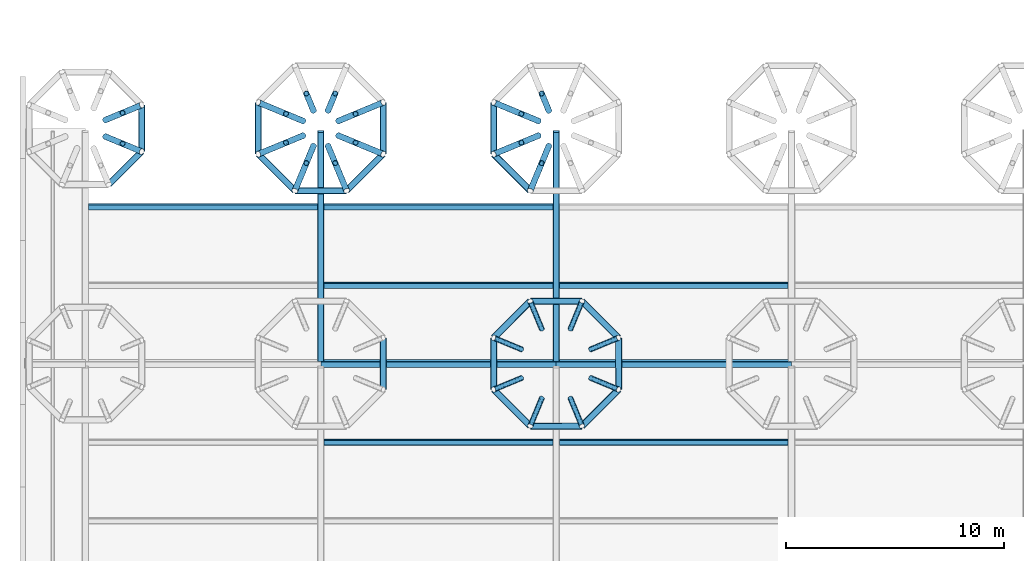
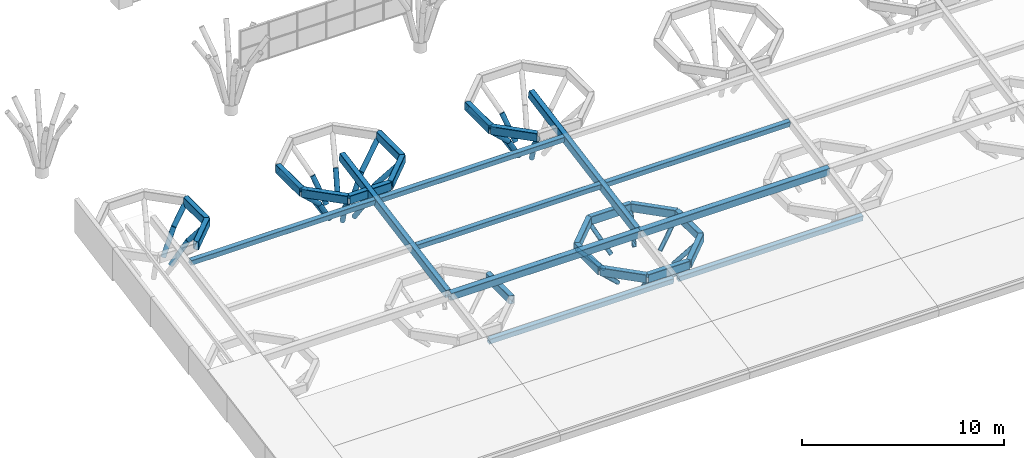
# One storey, part 3 of 42: 33 members, 28 beams.
"""IFC4 building model written with IfcOpenShell, lengths in metres."""

from ifc_helpers import new_model, si_unit, direction, frame, origin, origin_2d, place, context, subcontext, project, spatial, hollow_rectangle, hollow_circle, extrude, clip, halfspace, material, material_profile, profile_set, type_object, element, save


model = new_model("IFC4")

# Units and contexts
model_context = context("Model", 3, precision=1e-05, world=origin(), true_north=direction((0.0, 1.0)))
body_context = subcontext(model_context, "Body", "Model", "MODEL_VIEW")
ifc_project = project(units=[si_unit("LENGTHUNIT", "METRE"), si_unit("AREAUNIT", "SQUARE_METRE"), si_unit("VOLUMEUNIT", "CUBIC_METRE"), si_unit("PLANEANGLEUNIT", "RADIAN"), si_unit("MASSUNIT", "GRAM", prefix="KILO")], contexts=[model_context])

# Site, building, storey
site_placement = place(None, origin())
site = spatial("IfcSite", under=ifc_project, at=site_placement, CompositionType="ELEMENT")
building_placement = place(site_placement, origin())
building = spatial("IfcBuilding", under=site, at=building_placement, Name="Magnolia Steps Interchange", CompositionType="ELEMENT")
storey_placement = place(building_placement, frame((0.0, 0.0, 12.60009765625)))
storey = spatial("IfcBuildingStorey", under=building, at=storey_placement, Name="L03", CompositionType="ELEMENT", Elevation=12.60009765625)

# Beams
ifc_material_1 = material(Name="Steel Q355B", Category="steel")
ifc_material_profile_1 = material_profile(ifc_material_1, hollow_rectangle(XDim=0.300048828125, YDim=0.5, WallThickness=0.01611328125, InnerFilletRadius=0.01611328125, OuterFilletRadius=0.031982421875, at=origin_2d()), Name="RHS500x300x16")
ifc_profile_set_1 = profile_set([ifc_material_profile_1], Name="Steel Q355B")
beam_type_1 = type_object("IfcBeamType", Name="Ring beam RHS500x300x16", PredefinedType="BEAM", material=ifc_profile_set_1)
beam_1_placement = place(storey_placement, frame((54.268798828125, 72.219970703125, 3.4755859375), z_axis=(0.707106781187, 0.707106781187, 0.0), x_axis=(-0.707106781187, 0.707106781187, 0.0)))
element("IfcBeam", 1, at=beam_1_placement, inside=storey, type_object=beam_type_1, Name="Ring beam TH01D", PredefinedType="BEAM", context=body_context, shape_type="Clipping", body=[
    clip(clip(extrude(hollow_rectangle(XDim=0.300048828125, YDim=0.5, WallThickness=0.01611328125, InnerFilletRadius=0.01611328125, OuterFilletRadius=0.031982421875, at=origin_2d()), origin(), (0.0, 0.0, 1.0), 2.13720703125), halfspace(frame((0.0, 0.0, 0.0), z_axis=(0.382683433, 0.0, -0.923879532), x_axis=(0.923879532, 0.0, 0.382683433)), False)), halfspace(frame((0.0, 0.0, 2.137202625), z_axis=(0.382683433, 0.0, 0.923879532), x_axis=(0.923879532, 0.0, -0.382683433)), False)),
])
beam_2_placement = place(storey_placement, frame((55.780029296875, 73.731201171875, 3.4755859375), z_axis=(0.0, 1.0, 0.0), x_axis=(-1.0, 0.0, 0.0)))
element("IfcBeam", 2, at=beam_2_placement, inside=storey, type_object=beam_type_1, Name="Ring beam TH01D", PredefinedType="BEAM", context=body_context, shape_type="Clipping", body=[
    clip(clip(extrude(hollow_rectangle(XDim=0.300048828125, YDim=0.5, WallThickness=0.01611328125, InnerFilletRadius=0.01611328125, OuterFilletRadius=0.031982421875, at=origin_2d()), origin(), (0.0, 0.0, 1.0), 2.137451171875), halfspace(frame((0.0, 0.0, 0.0), z_axis=(0.382683432, 0.0, -0.923879533), x_axis=(0.923879533, 0.0, 0.382683432)), False)), halfspace(frame((0.0, 0.0, 2.137451172), z_axis=(0.382683432, 0.0, 0.923879533), x_axis=(0.923879533, 0.0, -0.382683432)), False)),
])
for number, where, z_axis, x_axis, name in (
    (3, (66.864013671875, 62.813720703125, 1.5), (0.0, 1.0, 0.0), (-1.0, 0.0, 0.0), "Ring beam TH02C"),
    (4, (61.135986328125, 75.986328125, 3.4755859375), (0.0, -1.0, 0.0), (1.0, 0.0, 0.0), "Ring beam TH02D"),
):
    element("IfcBeam", number, at=place(storey_placement, frame(where, z_axis=z_axis, x_axis=x_axis)), inside=storey, type_object=beam_type_1, Name=name, PredefinedType="BEAM", context=body_context, shape_type="Clipping", body=[
        clip(clip(extrude(hollow_rectangle(XDim=0.300048828125, YDim=0.5, WallThickness=0.01611328125, InnerFilletRadius=0.01611328125, OuterFilletRadius=0.031982421875, at=origin_2d()), origin(), (0.0, 0.0, 1.0), 2.37255859375), halfspace(frame((0.0, 0.0, 0.0), z_axis=(0.382683432, 0.0, -0.923879533), x_axis=(0.923879533, 0.0, 0.382683432)), False)), halfspace(frame((0.0, 0.0, 2.372558594), z_axis=(0.382683432, 0.0, 0.923879533), x_axis=(0.923879533, 0.0, -0.382683432)), False)),
    ])
beam_3_placement = place(storey_placement, frame((61.135986328125, 73.61376953125, 3.4755859375), z_axis=(0.707106781187, -0.707106781187, 0.0), x_axis=(0.707106781187, 0.707106781187, 0.0)))
element("IfcBeam", 5, at=beam_3_placement, inside=storey, type_object=beam_type_1, Name="Ring beam TH02D", PredefinedType="BEAM", context=body_context, shape_type="Clipping", body=[
    clip(clip(extrude(hollow_rectangle(XDim=0.300048828125, YDim=0.5, WallThickness=0.01611328125, InnerFilletRadius=0.01611328125, OuterFilletRadius=0.031982421875, at=origin_2d()), origin(), (0.0, 0.0, 1.0), 2.37255859375), halfspace(frame((0.0, 0.0, 0.0), z_axis=(0.382683433, 0.0, -0.923879532), x_axis=(0.923879532, 0.0, 0.382683433)), False)), halfspace(frame((0.0, 0.0, 2.372674707), z_axis=(0.382683433, 0.0, 0.923879532), x_axis=(0.923879532, 0.0, -0.382683433)), False)),
])
beam_4_placement = place(storey_placement, frame((62.813720703125, 71.93603515625, 3.4755859375), z_axis=(1.0, 0.0, 0.0), x_axis=(0.0, 1.0, 0.0)))
element("IfcBeam", 6, at=beam_4_placement, inside=storey, type_object=beam_type_1, Name="Ring beam TH02D", PredefinedType="BEAM", context=body_context, shape_type="Clipping", body=[
    clip(clip(extrude(hollow_rectangle(XDim=0.300048828125, YDim=0.5, WallThickness=0.01611328125, InnerFilletRadius=0.01611328125, OuterFilletRadius=0.031982421875, at=origin_2d()), origin(), (0.0, 0.0, 1.0), 2.37255859375), halfspace(frame((0.0, 0.0, 0.0), z_axis=(0.382683432, 0.0, -0.923879533), x_axis=(0.923879533, 0.0, 0.382683432)), False)), halfspace(frame((0.0, 0.0, 2.372558594), z_axis=(0.382683432, 0.0, 0.923879533), x_axis=(0.923879533, 0.0, -0.382683432)), False)),
])
beam_5_placement = place(storey_placement, frame((65.186279296875, 71.93603515625, 3.4755859375), z_axis=(0.707106781187, 0.707106781187, 0.0), x_axis=(-0.707106781187, 0.707106781187, 0.0)))
element("IfcBeam", 7, at=beam_5_placement, inside=storey, type_object=beam_type_1, Name="Ring beam TH02D", PredefinedType="BEAM", context=body_context, shape_type="Clipping", body=[
    clip(clip(extrude(hollow_rectangle(XDim=0.300048828125, YDim=0.5, WallThickness=0.01611328125, InnerFilletRadius=0.01611328125, OuterFilletRadius=0.031982421875, at=origin_2d()), origin(), (0.0, 0.0, 1.0), 2.37255859375), halfspace(frame((0.0, 0.0, 0.0), z_axis=(0.382683433, 0.0, -0.923879532), x_axis=(0.923879532, 0.0, 0.382683433)), False)), halfspace(frame((0.0, 0.0, 2.372674707), z_axis=(0.382683433, 0.0, 0.923879532), x_axis=(0.923879532, 0.0, -0.382683433)), False)),
])
beam_6_placement = place(storey_placement, frame((66.864013671875, 73.61376953125, 3.4755859375), z_axis=(0.0, 1.0, 0.0), x_axis=(-1.0, 0.0, 0.0)))
element("IfcBeam", 8, at=beam_6_placement, inside=storey, type_object=beam_type_1, Name="Ring beam TH02D", PredefinedType="BEAM", context=body_context, shape_type="Clipping", body=[
    clip(clip(extrude(hollow_rectangle(XDim=0.300048828125, YDim=0.5, WallThickness=0.01611328125, InnerFilletRadius=0.01611328125, OuterFilletRadius=0.031982421875, at=origin_2d()), origin(), (0.0, 0.0, 1.0), 2.37255859375), halfspace(frame((0.0, 0.0, 0.0), z_axis=(0.382683432, 0.0, -0.923879533), x_axis=(0.923879533, 0.0, 0.382683432)), False)), halfspace(frame((0.0, 0.0, 2.372558594), z_axis=(0.382683432, 0.0, 0.923879533), x_axis=(0.923879533, 0.0, -0.382683432)), False)),
])
beam_7_placement = place(storey_placement, frame((77.6640625, 65.186279296875, 1.5), z_axis=(-0.707106781187, 0.707106781187, 0.0), x_axis=(-0.707106781187, -0.707106781187, 0.0)))
element("IfcBeam", 9, at=beam_7_placement, inside=storey, type_object=beam_type_1, Name="Ring beam TH03C", PredefinedType="BEAM", context=body_context, shape_type="Clipping", body=[
    clip(clip(extrude(hollow_rectangle(XDim=0.300048828125, YDim=0.5, WallThickness=0.01611328125, InnerFilletRadius=0.01611328125, OuterFilletRadius=0.031982421875, at=origin_2d()), origin(), (0.0, 0.0, 1.0), 2.37255859375), halfspace(frame((0.0, 0.0, 0.0), z_axis=(0.382683433, 0.0, -0.923879532), x_axis=(0.923879532, 0.0, 0.382683433)), False)), halfspace(frame((0.0, 0.0, 2.372674707), z_axis=(0.382683433, 0.0, 0.923879532), x_axis=(0.923879532, 0.0, -0.382683433)), False)),
])
beam_8_placement = place(storey_placement, frame((75.986328125, 66.864013671875, 1.5), z_axis=(-1.0, 0.0, 0.0), x_axis=(0.0, -1.0, 0.0)))
element("IfcBeam", 10, at=beam_8_placement, inside=storey, type_object=beam_type_1, Name="Ring beam TH03C", PredefinedType="BEAM", context=body_context, shape_type="Clipping", body=[
    clip(clip(extrude(hollow_rectangle(XDim=0.300048828125, YDim=0.5, WallThickness=0.01611328125, InnerFilletRadius=0.01611328125, OuterFilletRadius=0.031982421875, at=origin_2d()), origin(), (0.0, 0.0, 1.0), 2.37255859375), halfspace(frame((0.0, 0.0, 0.0), z_axis=(0.382683432, 0.0, -0.923879533), x_axis=(0.923879533, 0.0, 0.382683432)), False)), halfspace(frame((0.0, 0.0, 2.372558594), z_axis=(0.382683432, 0.0, 0.923879533), x_axis=(0.923879533, 0.0, -0.382683432)), False)),
])
beam_9_placement = place(storey_placement, frame((73.61376953125, 66.864013671875, 1.5), z_axis=(-0.707106781187, -0.707106781187, 0.0), x_axis=(0.707106781187, -0.707106781187, 0.0)))
element("IfcBeam", 11, at=beam_9_placement, inside=storey, type_object=beam_type_1, Name="Ring beam TH03C", PredefinedType="BEAM", context=body_context, shape_type="Clipping", body=[
    clip(clip(extrude(hollow_rectangle(XDim=0.300048828125, YDim=0.5, WallThickness=0.01611328125, InnerFilletRadius=0.01611328125, OuterFilletRadius=0.031982421875, at=origin_2d()), origin(), (0.0, 0.0, 1.0), 2.37255859375), halfspace(frame((0.0, 0.0, 0.0), z_axis=(0.382683433, 0.0, -0.923879532), x_axis=(0.923879532, 0.0, 0.382683433)), False)), halfspace(frame((0.0, 0.0, 2.372674707), z_axis=(0.382683433, 0.0, 0.923879532), x_axis=(0.923879532, 0.0, -0.382683433)), False)),
])
beam_10_placement = place(storey_placement, frame((71.93603515625, 65.186279296875, 1.5), z_axis=(0.0, -1.0, 0.0), x_axis=(1.0, 0.0, 0.0)))
element("IfcBeam", 12, at=beam_10_placement, inside=storey, type_object=beam_type_1, Name="Ring beam TH03C", PredefinedType="BEAM", context=body_context, shape_type="Clipping", body=[
    clip(clip(extrude(hollow_rectangle(XDim=0.300048828125, YDim=0.5, WallThickness=0.01611328125, InnerFilletRadius=0.01611328125, OuterFilletRadius=0.031982421875, at=origin_2d()), origin(), (0.0, 0.0, 1.0), 2.37255859375), halfspace(frame((0.0, 0.0, 0.0), z_axis=(0.382683432, 0.0, -0.923879533), x_axis=(0.923879533, 0.0, 0.382683432)), False)), halfspace(frame((0.0, 0.0, 2.372558594), z_axis=(0.382683432, 0.0, 0.923879533), x_axis=(0.923879533, 0.0, -0.382683432)), False)),
])
beam_11_placement = place(storey_placement, frame((71.93603515625, 62.813720703125, 1.5), z_axis=(0.707106781187, -0.707106781187, 0.0), x_axis=(0.707106781187, 0.707106781187, 0.0)))
element("IfcBeam", 13, at=beam_11_placement, inside=storey, type_object=beam_type_1, Name="Ring beam TH03C", PredefinedType="BEAM", context=body_context, shape_type="Clipping", body=[
    clip(clip(extrude(hollow_rectangle(XDim=0.300048828125, YDim=0.5, WallThickness=0.01611328125, InnerFilletRadius=0.01611328125, OuterFilletRadius=0.031982421875, at=origin_2d()), origin(), (0.0, 0.0, 1.0), 2.37255859375), halfspace(frame((0.0, 0.0, 0.0), z_axis=(0.382683433, 0.0, -0.923879532), x_axis=(0.923879532, 0.0, 0.382683433)), False)), halfspace(frame((0.0, 0.0, 2.372674707), z_axis=(0.382683433, 0.0, 0.923879532), x_axis=(0.923879532, 0.0, -0.382683433)), False)),
])
beam_12_placement = place(storey_placement, frame((73.61376953125, 61.135986328125, 1.5), z_axis=(1.0, 0.0, 0.0), x_axis=(0.0, 1.0, 0.0)))
element("IfcBeam", 14, at=beam_12_placement, inside=storey, type_object=beam_type_1, Name="Ring beam TH03C", PredefinedType="BEAM", context=body_context, shape_type="Clipping", body=[
    clip(clip(extrude(hollow_rectangle(XDim=0.300048828125, YDim=0.5, WallThickness=0.01611328125, InnerFilletRadius=0.01611328125, OuterFilletRadius=0.031982421875, at=origin_2d()), origin(), (0.0, 0.0, 1.0), 2.37255859375), halfspace(frame((0.0, 0.0, 0.0), z_axis=(0.382683432, 0.0, -0.923879533), x_axis=(0.923879533, 0.0, 0.382683432)), False)), halfspace(frame((0.0, 0.0, 2.372558594), z_axis=(0.382683432, 0.0, 0.923879533), x_axis=(0.923879533, 0.0, -0.382683432)), False)),
])
beam_13_placement = place(storey_placement, frame((75.986328125, 61.135986328125, 1.5), z_axis=(0.707106781187, 0.707106781187, 0.0), x_axis=(-0.707106781187, 0.707106781187, 0.0)))
element("IfcBeam", 15, at=beam_13_placement, inside=storey, type_object=beam_type_1, Name="Ring beam TH03C", PredefinedType="BEAM", context=body_context, shape_type="Clipping", body=[
    clip(clip(extrude(hollow_rectangle(XDim=0.300048828125, YDim=0.5, WallThickness=0.01611328125, InnerFilletRadius=0.01611328125, OuterFilletRadius=0.031982421875, at=origin_2d()), origin(), (0.0, 0.0, 1.0), 2.37255859375), halfspace(frame((0.0, 0.0, 0.0), z_axis=(0.382683433, 0.0, -0.923879532), x_axis=(0.923879532, 0.0, 0.382683433)), False)), halfspace(frame((0.0, 0.0, 2.372674707), z_axis=(0.382683433, 0.0, 0.923879532), x_axis=(0.923879532, 0.0, -0.382683433)), False)),
])
for number, where, z_axis, x_axis, name in (
    (16, (77.6640625, 62.813720703125, 1.5), (0.0, 1.0, 0.0), (-1.0, 0.0, 0.0), "Ring beam TH03C"),
    (17, (71.93603515625, 75.986328125, 3.4755859375), (0.0, -1.0, 0.0), (1.0, 0.0, 0.0), "Ring beam TH03D"),
):
    element("IfcBeam", number, at=place(storey_placement, frame(where, z_axis=z_axis, x_axis=x_axis)), inside=storey, type_object=beam_type_1, Name=name, PredefinedType="BEAM", context=body_context, shape_type="Clipping", body=[
        clip(clip(extrude(hollow_rectangle(XDim=0.300048828125, YDim=0.5, WallThickness=0.01611328125, InnerFilletRadius=0.01611328125, OuterFilletRadius=0.031982421875, at=origin_2d()), origin(), (0.0, 0.0, 1.0), 2.37255859375), halfspace(frame((0.0, 0.0, 0.0), z_axis=(0.382683432, 0.0, -0.923879533), x_axis=(0.923879533, 0.0, 0.382683432)), False)), halfspace(frame((0.0, 0.0, 2.372558594), z_axis=(0.382683432, 0.0, 0.923879533), x_axis=(0.923879533, 0.0, -0.382683432)), False)),
    ])
beam_14_placement = place(storey_placement, frame((71.93603515625, 73.61376953125, 3.4755859375), z_axis=(0.707106781187, -0.707106781187, 0.0), x_axis=(0.707106781187, 0.707106781187, 0.0)))
element("IfcBeam", 18, at=beam_14_placement, inside=storey, type_object=beam_type_1, Name="Ring beam TH03D", PredefinedType="BEAM", context=body_context, shape_type="Clipping", body=[
    clip(clip(extrude(hollow_rectangle(XDim=0.300048828125, YDim=0.5, WallThickness=0.01611328125, InnerFilletRadius=0.01611328125, OuterFilletRadius=0.031982421875, at=origin_2d()), origin(), (0.0, 0.0, 1.0), 2.37255859375), halfspace(frame((0.0, 0.0, 0.0), z_axis=(0.382683433, 0.0, -0.923879532), x_axis=(0.923879532, 0.0, 0.382683433)), False)), halfspace(frame((0.0, 0.0, 2.372674707), z_axis=(0.382683433, 0.0, 0.923879532), x_axis=(0.923879532, 0.0, -0.382683433)), False)),
])
ifc_material_2 = material(Name="Steel Q355B", Category="steel")
ifc_material_profile_2 = material_profile(ifc_material_2, hollow_rectangle(XDim=0.300048828125, YDim=0.5, WallThickness=0.01611328125, InnerFilletRadius=0.01611328125, OuterFilletRadius=0.031982421875, at=origin_2d()), Name="RHS500x300x16")
ifc_profile_set_2 = profile_set([ifc_material_profile_2], Name="Steel Q355B")
beam_type_2 = type_object("IfcBeamType", Name="Roof beam RHS500x300x16", PredefinedType="BEAM", material=ifc_profile_set_2)
for number, where, z_axis, x_axis, name in (
    (19, (64.0, 64.0, 2.044189453125), (1.0, 0.0, 0.0), (0.0, 0.98367737698, 0.17994115154), "Roof beam"),
    (20, (74.800048828125, 64.0, 2.044189453125), (1.0, 0.0, 0.0), (0.0, 0.98367737698, 0.17994115154), "Roof beam"),
):
    element("IfcBeam", number, at=place(storey_placement, frame(where, z_axis=z_axis, x_axis=x_axis)), inside=storey, type_object=beam_type_2, Name=name, PredefinedType="BEAM", context=body_context, shape_type="SweptSolid", body=[
        extrude(hollow_rectangle(XDim=0.300048828125, YDim=0.5, WallThickness=0.01611328125, InnerFilletRadius=0.01611328125, OuterFilletRadius=0.031982421875, at=origin_2d()), origin(), (0.0, 0.0, 1.0), 10.800048828125),
    ])
for number, where, z_axis, x_axis, name in (
    (21, (64.0, 64.14990234375, 2.071533203125), (0.0, 0.983678690331, 0.179933971746), (-1.0, 0.0, 0.0), "Roof beam"),
    (22, (74.800048828125, 64.14990234375, 2.071533203125), (0.0, 0.983678690331, 0.179933971746), (-1.0, 0.0, 0.0), "Roof beam"),
):
    element("IfcBeam", number, at=place(storey_placement, frame(where, z_axis=z_axis, x_axis=x_axis)), inside=storey, type_object=beam_type_2, Name=name, PredefinedType="BEAM", context=body_context, shape_type="SweptSolid", body=[
        extrude(hollow_rectangle(XDim=0.300048828125, YDim=0.5, WallThickness=0.01611328125, InnerFilletRadius=0.01611328125, OuterFilletRadius=0.031982421875, at=origin_2d()), origin(), (0.0, 0.0, 1.0), 10.67431640625),
    ])
ifc_material_3 = material(Name="Steel Q355B", Category="steel")
ifc_material_profile_3 = material_profile(ifc_material_3, hollow_rectangle(XDim=0.25, YDim=0.35009765625, WallThickness=0.011962890625, InnerFilletRadius=0.011962890625, OuterFilletRadius=0.02392578125, at=origin_2d()), Name="RHS350x250x12")
ifc_profile_set_3 = profile_set([ifc_material_profile_3], Name="Steel Q355B")
beam_type_3 = type_object("IfcBeamType", Name="Roof joist RHS350x250x12", PredefinedType="BEAM", material=ifc_profile_set_3)
for number, where, z_axis, x_axis, name in (
    (23, (64.14990234375, 60.39990234375, 1.4619140625), (1.0, 0.0, 0.0), (0.0, 0.98367737698, 0.17994115154), "Roof joist"),
    (24, (74.949951171875, 60.39990234375, 1.4619140625), (1.0, 0.0, 0.0), (0.0, 0.98367737698, 0.17994115154), "Roof joist"),
    (25, (64.14990234375, 67.60009765625, 2.77880859375), (1.0, 0.0, 0.0), (0.0, 0.98367737698, 0.17994115154), "Roof joist"),
    (26, (74.949951171875, 67.60009765625, 2.77880859375), (1.0, 0.0, 0.0), (0.0, 0.98367737698, 0.17994115154), "Roof joist"),
    (27, (53.35009765625, 71.199951171875, 3.4375), (1.0, 0.0, 0.0), (0.0, 0.98367737698, 0.17994115154), "Roof joist"),
    (28, (64.14990234375, 71.199951171875, 3.4375), (1.0, 0.0, 0.0), (0.0, 0.98367737698, 0.17994115154), "Roof joist"),
):
    element("IfcBeam", number, at=place(storey_placement, frame(where, z_axis=z_axis, x_axis=x_axis)), inside=storey, type_object=beam_type_3, Name=name, PredefinedType="BEAM", context=body_context, shape_type="SweptSolid", body=[
        extrude(hollow_rectangle(XDim=0.25, YDim=0.35009765625, WallThickness=0.011962890625, InnerFilletRadius=0.011962890625, OuterFilletRadius=0.02392578125, at=origin_2d()), origin(), (0.0, 0.0, 1.0), 10.5),
    ])

# Members
ifc_material_4 = material(Name="Steel Q355B", Category="steel")
ifc_material_profile_4 = material_profile(ifc_material_4, hollow_circle(Radius=0.12255859375, WallThickness=0.011962890625, at=origin_2d()), Name="CHS245x12")
ifc_profile_set_4 = profile_set([ifc_material_profile_4], Name="Steel Q355B")
member_type_1 = type_object("IfcMemberType", Name="Tree rib CHS245x12", PredefinedType="USERDEFINED", material=ifc_profile_set_4)
for number, where, z_axis, x_axis, name in (
    (29, (76.383056640625, 64.65576171875, 0.010986328125), (0.664618271493, 0.27524595082, 0.694638193418), (-0.382626535499, 0.923903097912, 0.0), "Tree rib TH03C"),
    (30, (75.455810546875, 65.5830078125, 0.010986328125), (0.27524595082, 0.664618271493, 0.694638193418), (-0.923903097912, 0.382626535499, 0.0), "Tree rib TH03C"),
    (31, (74.144287109375, 65.5830078125, 0.010986328125), (-0.27524595082, 0.664618271493, 0.694638193418), (-0.923903097912, -0.382626535499, 0.0), "Tree rib TH03C"),
    (32, (73.217041015625, 64.65576171875, 0.010986328125), (-0.664618271493, 0.27524595082, 0.694638193418), (-0.382626535499, -0.923903097912, 0.0), "Tree rib TH03C"),
    (33, (73.217041015625, 63.34423828125, 0.010986328125), (-0.664618271493, -0.27524595082, 0.694638193418), (0.382626535499, -0.923903097912, 0.0), "Tree rib TH03C"),
    (34, (74.144287109375, 62.4169921875, 0.010986328125), (-0.27524595082, -0.664618271493, 0.694638193418), (0.923903097912, -0.382626535499, 0.0), "Tree rib TH03C"),
    (35, (75.455810546875, 62.4169921875, 0.010986328125), (0.27524595082, -0.664618271493, 0.694638193418), (0.923903097912, 0.382626535499, 0.0), "Tree rib TH03C"),
    (36, (76.383056640625, 63.34423828125, 0.010986328125), (0.664618271493, -0.27524595082, 0.694638193418), (0.382626535499, 0.923903097912, 0.0), "Tree rib TH03C"),
):
    element("IfcMember", number, at=place(storey_placement, frame(where, z_axis=z_axis, x_axis=x_axis)), inside=storey, type_object=member_type_1, Name=name, ObjectType="TREE RIB", PredefinedType="USERDEFINED", context=body_context, shape_type="SweptSolid", body=[
        extrude(hollow_circle(Radius=0.12255859375, WallThickness=0.011962890625, at=origin_2d()), origin(), (0.0, 0.0, 1.0), 1.927490234375),
    ])
ifc_material_5 = material(Name="Steel Q355B", Category="steel")
ifc_material_profile_5 = material_profile(ifc_material_5, hollow_circle(Radius=0.136474609375, WallThickness=0.013916015625, at=origin_2d()), Name="CHS273x14")
ifc_profile_set_5 = profile_set([ifc_material_profile_5], Name="Steel Q355B")
member_type_2 = type_object("IfcMemberType", Name="Tree rib CHS273x14", PredefinedType="USERDEFINED", material=ifc_profile_set_5)
member_1_placement = place(storey_placement, frame((54.112060546875, 75.177734375, 1.037109375), z_axis=(0.489571014481, 0.202820124805, 0.848047297475), x_axis=(-0.382736860682, 0.923857399968, 0.0)))
element("IfcMember", 37, at=member_1_placement, inside=storey, type_object=member_type_2, Name="Tree rib TH01D", ObjectType="TREE RIB", PredefinedType="USERDEFINED", context=body_context, shape_type="SweptSolid", body=[
    extrude(hollow_circle(Radius=0.136474609375, WallThickness=0.013916015625, at=origin_2d()), origin(), (0.0, 0.0, 1.0), 1.6201171875),
])
member_2_placement = place(storey_placement, frame((54.9052734375, 75.50634765625, 2.4111328125), z_axis=(0.664600057379, 0.275262764485, 0.694648957546), x_axis=(-0.382655437784, 0.92389112775, 0.0)))
element("IfcMember", 38, at=member_2_placement, inside=storey, type_object=member_type_2, Name="Tree rib TH01D", ObjectType="TREE RIB", PredefinedType="USERDEFINED", context=body_context, shape_type="SweptSolid", body=[
    extrude(hollow_circle(Radius=0.136474609375, WallThickness=0.013916015625, at=origin_2d()), origin(), (0.0, 0.0, 1.0), 1.316162109375),
])
member_3_placement = place(storey_placement, frame((54.112060546875, 74.42236328125, 1.037109375), z_axis=(0.489571014481, -0.202820124805, 0.848047297475), x_axis=(0.382736860682, 0.923857399968, 0.0)))
element("IfcMember", 39, at=member_3_placement, inside=storey, type_object=member_type_2, Name="Tree rib TH01D", ObjectType="TREE RIB", PredefinedType="USERDEFINED", context=body_context, shape_type="SweptSolid", body=[
    extrude(hollow_circle(Radius=0.136474609375, WallThickness=0.013916015625, at=origin_2d()), origin(), (0.0, 0.0, 1.0), 1.6201171875),
])
member_4_placement = place(storey_placement, frame((54.9052734375, 74.09375, 2.4111328125), z_axis=(0.664566115613, -0.275434184115, 0.694613481153), x_axis=(0.382875502946, 0.923799950879, 0.0)))
element("IfcMember", 40, at=member_4_placement, inside=storey, type_object=member_type_2, Name="Tree rib TH01D", ObjectType="TREE RIB", PredefinedType="USERDEFINED", context=body_context, shape_type="SweptSolid", body=[
    extrude(hollow_circle(Radius=0.136474609375, WallThickness=0.013916015625, at=origin_2d()), origin(), (0.0, 0.0, 1.0), 1.316162109375),
])
member_5_placement = place(storey_placement, frame((64.80322265625, 75.1328125, 0.62646484375), z_axis=(0.489585971714, 0.202675633104, 0.848073206773), x_axis=(-0.382494123671, 0.923957924019, 0.0)))
element("IfcMember", 41, at=member_5_placement, inside=storey, type_object=member_type_2, Name="Tree rib TH02D", ObjectType="TREE RIB", PredefinedType="USERDEFINED", context=body_context, shape_type="SweptSolid", body=[
    extrude(hollow_circle(Radius=0.136474609375, WallThickness=0.013916015625, at=origin_2d()), origin(), (0.0, 0.0, 1.0), 1.6201171875),
])
member_6_placement = place(storey_placement, frame((65.596435546875, 75.461181640625, 2.00048828125), z_axis=(0.664571439163, 0.275326110485, 0.694651232731), x_axis=(-0.382744666971, 0.923854165929, 0.0)))
element("IfcMember", 42, at=member_6_placement, inside=storey, type_object=member_type_2, Name="Tree rib TH02D", ObjectType="TREE RIB", PredefinedType="USERDEFINED", context=body_context, shape_type="SweptSolid", body=[
    extrude(hollow_circle(Radius=0.136474609375, WallThickness=0.013916015625, at=origin_2d()), origin(), (0.0, 0.0, 1.0), 1.907470703125),
])
for number, where, z_axis, x_axis, name in (
    (43, (64.332763671875, 75.603271484375, 0.62646484375), (0.202820124805, 0.489571014481, 0.848047297475), (-0.923857399968, 0.382736860682, 0.0), "Tree rib TH02D"),
    (44, (63.667236328125, 75.603271484375, 0.62646484375), (-0.202820124805, 0.489571014481, 0.848047297475), (-0.923857399968, -0.382736860682, 0.0), "Tree rib TH02D"),
    (45, (63.19677734375, 75.1328125, 0.62646484375), (-0.489585971714, 0.202675633104, 0.848073206773), (-0.382494123671, -0.923957924019, 0.0), "Tree rib TH02D"),
):
    element("IfcMember", number, at=place(storey_placement, frame(where, z_axis=z_axis, x_axis=x_axis)), inside=storey, type_object=member_type_2, Name=name, ObjectType="TREE RIB", PredefinedType="USERDEFINED", context=body_context, shape_type="SweptSolid", body=[
        extrude(hollow_circle(Radius=0.136474609375, WallThickness=0.013916015625, at=origin_2d()), origin(), (0.0, 0.0, 1.0), 1.6201171875),
    ])
member_7_placement = place(storey_placement, frame((62.403564453125, 75.461181640625, 2.00048828125), z_axis=(-0.664571439163, 0.275326110485, 0.694651232731), x_axis=(-0.382744666971, -0.923854165929, 0.0)))
element("IfcMember", 46, at=member_7_placement, inside=storey, type_object=member_type_2, Name="Tree rib TH02D", ObjectType="TREE RIB", PredefinedType="USERDEFINED", context=body_context, shape_type="SweptSolid", body=[
    extrude(hollow_circle(Radius=0.136474609375, WallThickness=0.013916015625, at=origin_2d()), origin(), (0.0, 0.0, 1.0), 1.907470703125),
])
member_8_placement = place(storey_placement, frame((63.19677734375, 74.46728515625, 0.62646484375), z_axis=(-0.489571014481, -0.202820124805, 0.848047297475), x_axis=(0.382736860682, -0.923857399968, 0.0)))
element("IfcMember", 47, at=member_8_placement, inside=storey, type_object=member_type_2, Name="Tree rib TH02D", ObjectType="TREE RIB", PredefinedType="USERDEFINED", context=body_context, shape_type="SweptSolid", body=[
    extrude(hollow_circle(Radius=0.136474609375, WallThickness=0.013916015625, at=origin_2d()), origin(), (0.0, 0.0, 1.0), 1.6201171875),
])
member_9_placement = place(storey_placement, frame((62.403564453125, 74.138671875, 2.00048828125), z_axis=(-0.664594855451, -0.275207808016, 0.694675708885), x_axis=(0.382592780202, -0.923917076656, 0.0)))
element("IfcMember", 48, at=member_9_placement, inside=storey, type_object=member_type_2, Name="Tree rib TH02D", ObjectType="TREE RIB", PredefinedType="USERDEFINED", context=body_context, shape_type="SweptSolid", body=[
    extrude(hollow_circle(Radius=0.136474609375, WallThickness=0.013916015625, at=origin_2d()), origin(), (0.0, 0.0, 1.0), 1.9072265625),
])
member_10_placement = place(storey_placement, frame((63.667236328125, 73.996826171875, 0.62646484375), z_axis=(-0.202820124805, -0.489571014481, 0.848047297475), x_axis=(0.923857399968, -0.382736860682, 0.0)))
element("IfcMember", 49, at=member_10_placement, inside=storey, type_object=member_type_2, Name="Tree rib TH02D", ObjectType="TREE RIB", PredefinedType="USERDEFINED", context=body_context, shape_type="SweptSolid", body=[
    extrude(hollow_circle(Radius=0.136474609375, WallThickness=0.013916015625, at=origin_2d()), origin(), (0.0, 0.0, 1.0), 1.6201171875),
])
member_11_placement = place(storey_placement, frame((63.338623046875, 73.20361328125, 2.00048828125), z_axis=(-0.275207808016, -0.664594855451, 0.694675708885), x_axis=(0.923917076656, -0.382592780202, 0.0)))
element("IfcMember", 50, at=member_11_placement, inside=storey, type_object=member_type_2, Name="Tree rib TH02D", ObjectType="TREE RIB", PredefinedType="USERDEFINED", context=body_context, shape_type="SweptSolid", body=[
    extrude(hollow_circle(Radius=0.136474609375, WallThickness=0.013916015625, at=origin_2d()), origin(), (0.0, 0.0, 1.0), 1.9072265625),
])
member_12_placement = place(storey_placement, frame((64.332763671875, 73.996826171875, 0.62646484375), z_axis=(0.202820124805, -0.489571014481, 0.848047297475), x_axis=(0.923857399968, 0.382736860682, 0.0)))
element("IfcMember", 51, at=member_12_placement, inside=storey, type_object=member_type_2, Name="Tree rib TH02D", ObjectType="TREE RIB", PredefinedType="USERDEFINED", context=body_context, shape_type="SweptSolid", body=[
    extrude(hollow_circle(Radius=0.136474609375, WallThickness=0.013916015625, at=origin_2d()), origin(), (0.0, 0.0, 1.0), 1.6201171875),
])
member_13_placement = place(storey_placement, frame((64.661376953125, 73.20361328125, 2.00048828125), z_axis=(0.275207808016, -0.664594855451, 0.694675708885), x_axis=(0.923917076656, 0.382592780202, 0.0)))
element("IfcMember", 52, at=member_13_placement, inside=storey, type_object=member_type_2, Name="Tree rib TH02D", ObjectType="TREE RIB", PredefinedType="USERDEFINED", context=body_context, shape_type="SweptSolid", body=[
    extrude(hollow_circle(Radius=0.136474609375, WallThickness=0.013916015625, at=origin_2d()), origin(), (0.0, 0.0, 1.0), 1.9072265625),
])
member_14_placement = place(storey_placement, frame((64.80322265625, 74.46728515625, 0.62646484375), z_axis=(0.489571014481, -0.202820124805, 0.848047297475), x_axis=(0.382736860682, 0.923857399968, 0.0)))
element("IfcMember", 53, at=member_14_placement, inside=storey, type_object=member_type_2, Name="Tree rib TH02D", ObjectType="TREE RIB", PredefinedType="USERDEFINED", context=body_context, shape_type="SweptSolid", body=[
    extrude(hollow_circle(Radius=0.136474609375, WallThickness=0.013916015625, at=origin_2d()), origin(), (0.0, 0.0, 1.0), 1.6201171875),
])
member_15_placement = place(storey_placement, frame((65.596435546875, 74.138671875, 2.00048828125), z_axis=(0.664594855451, -0.275207808016, 0.694675708885), x_axis=(0.382592780202, 0.923917076656, 0.0)))
element("IfcMember", 54, at=member_15_placement, inside=storey, type_object=member_type_2, Name="Tree rib TH02D", ObjectType="TREE RIB", PredefinedType="USERDEFINED", context=body_context, shape_type="SweptSolid", body=[
    extrude(hollow_circle(Radius=0.136474609375, WallThickness=0.013916015625, at=origin_2d()), origin(), (0.0, 0.0, 1.0), 1.9072265625),
])
for number, where, z_axis, x_axis, name in (
    (55, (74.46728515625, 75.603271484375, 0.62646484375), (-0.202820124805, 0.489571014481, 0.848047297475), (-0.923857399968, -0.382736860682, 0.0), "Tree rib TH03D"),
    (56, (73.996826171875, 75.1328125, 0.62646484375), (-0.489585971714, 0.202675633104, 0.848073206773), (-0.382494123671, -0.923957924019, 0.0), "Tree rib TH03D"),
):
    element("IfcMember", number, at=place(storey_placement, frame(where, z_axis=z_axis, x_axis=x_axis)), inside=storey, type_object=member_type_2, Name=name, ObjectType="TREE RIB", PredefinedType="USERDEFINED", context=body_context, shape_type="SweptSolid", body=[
        extrude(hollow_circle(Radius=0.136474609375, WallThickness=0.013916015625, at=origin_2d()), origin(), (0.0, 0.0, 1.0), 1.6201171875),
    ])
member_16_placement = place(storey_placement, frame((73.20361328125, 75.461181640625, 2.00048828125), z_axis=(-0.664571439163, 0.275326110485, 0.694651232731), x_axis=(-0.382744666971, -0.923854165929, 0.0)))
element("IfcMember", 57, at=member_16_placement, inside=storey, type_object=member_type_2, Name="Tree rib TH03D", ObjectType="TREE RIB", PredefinedType="USERDEFINED", context=body_context, shape_type="SweptSolid", body=[
    extrude(hollow_circle(Radius=0.136474609375, WallThickness=0.013916015625, at=origin_2d()), origin(), (0.0, 0.0, 1.0), 1.907470703125),
])
member_17_placement = place(storey_placement, frame((73.996826171875, 74.46728515625, 0.62646484375), z_axis=(-0.489571014481, -0.202820124805, 0.848047297475), x_axis=(0.382736860682, -0.923857399968, 0.0)))
element("IfcMember", 58, at=member_17_placement, inside=storey, type_object=member_type_2, Name="Tree rib TH03D", ObjectType="TREE RIB", PredefinedType="USERDEFINED", context=body_context, shape_type="SweptSolid", body=[
    extrude(hollow_circle(Radius=0.136474609375, WallThickness=0.013916015625, at=origin_2d()), origin(), (0.0, 0.0, 1.0), 1.6201171875),
])
member_18_placement = place(storey_placement, frame((73.20361328125, 74.138671875, 2.00048828125), z_axis=(-0.664594855451, -0.275207808016, 0.694675708885), x_axis=(0.382592780202, -0.923917076656, 0.0)))
element("IfcMember", 59, at=member_18_placement, inside=storey, type_object=member_type_2, Name="Tree rib TH03D", ObjectType="TREE RIB", PredefinedType="USERDEFINED", context=body_context, shape_type="SweptSolid", body=[
    extrude(hollow_circle(Radius=0.136474609375, WallThickness=0.013916015625, at=origin_2d()), origin(), (0.0, 0.0, 1.0), 1.9072265625),
])
member_19_placement = place(storey_placement, frame((74.46728515625, 73.996826171875, 0.62646484375), z_axis=(-0.202820124805, -0.489571014481, 0.848047297475), x_axis=(0.923857399968, -0.382736860682, 0.0)))
element("IfcMember", 60, at=member_19_placement, inside=storey, type_object=member_type_2, Name="Tree rib TH03D", ObjectType="TREE RIB", PredefinedType="USERDEFINED", context=body_context, shape_type="SweptSolid", body=[
    extrude(hollow_circle(Radius=0.136474609375, WallThickness=0.013916015625, at=origin_2d()), origin(), (0.0, 0.0, 1.0), 1.6201171875),
])
member_20_placement = place(storey_placement, frame((74.138671875, 73.20361328125, 2.00048828125), z_axis=(-0.275207808016, -0.664594855451, 0.694675708885), x_axis=(0.923917076656, -0.382592780202, 0.0)))
element("IfcMember", 61, at=member_20_placement, inside=storey, type_object=member_type_2, Name="Tree rib TH03D", ObjectType="TREE RIB", PredefinedType="USERDEFINED", context=body_context, shape_type="SweptSolid", body=[
    extrude(hollow_circle(Radius=0.136474609375, WallThickness=0.013916015625, at=origin_2d()), origin(), (0.0, 0.0, 1.0), 1.9072265625),
])

save(model, "model.ifc")
